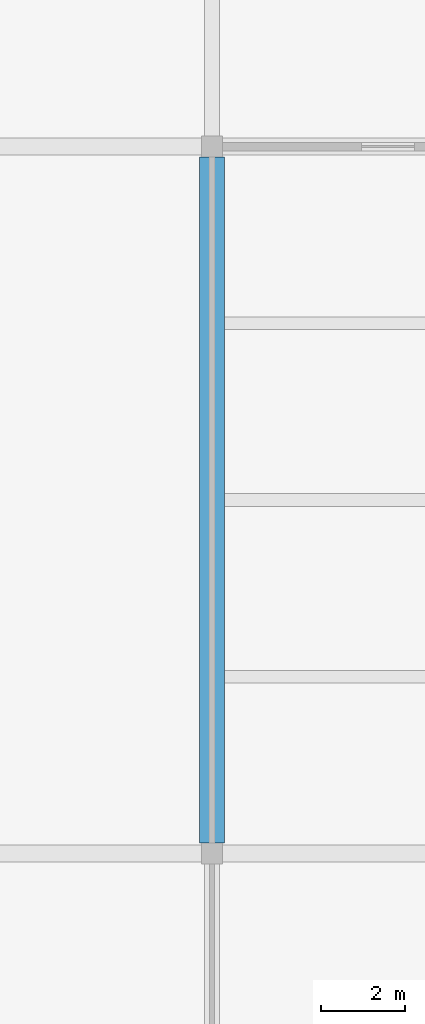
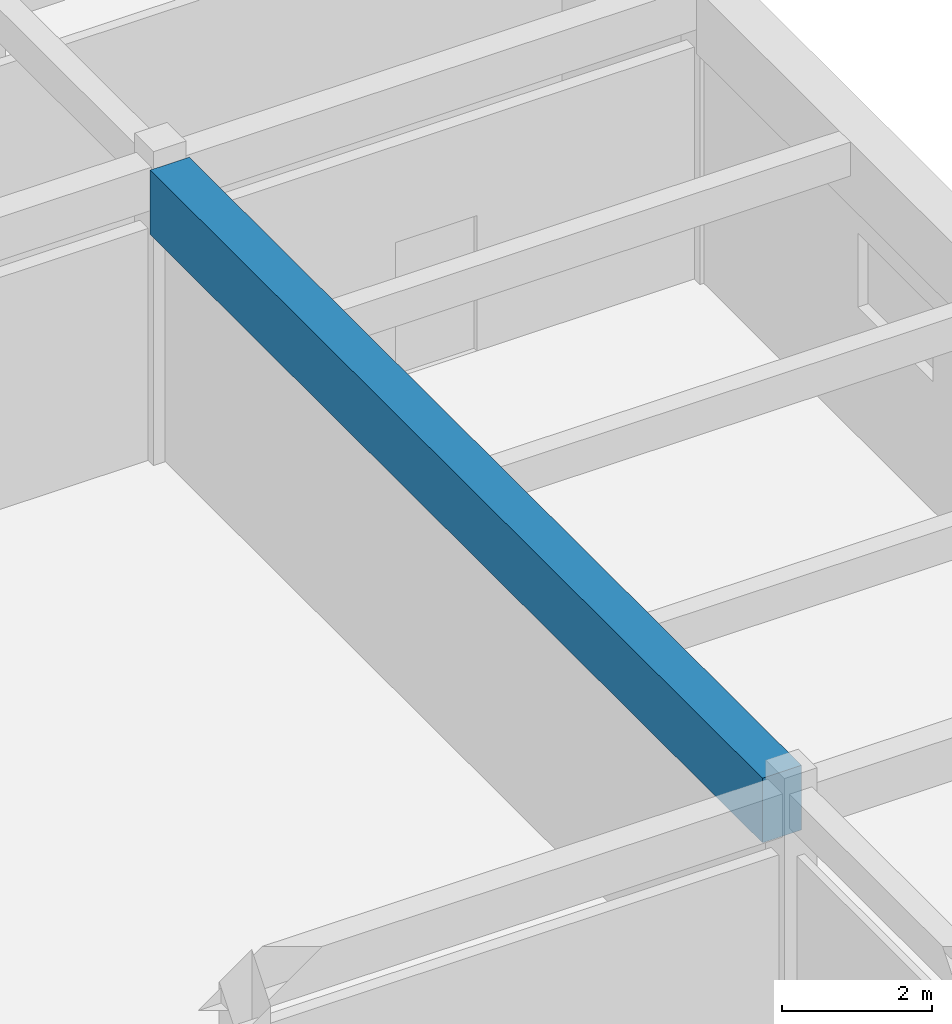
# One storey, part 45 of 93: 1 beam.
"""IFC4 building model written with IfcOpenShell, lengths in metres."""

from ifc_helpers import new_model, si_unit, direction, frame, origin, origin_2d, place, context, subcontext, project, spatial, rectangle, extrude, material, material_profile, profile_set, type_object, element, save


model = new_model("IFC4")

# Units and contexts
model_context = context("Model", 3, precision=1e-05, world=origin(), true_north=direction((0.0, 1.0)))
body_context = subcontext(model_context, "Body", "Model", "MODEL_VIEW")
ifc_project = project(units=[si_unit("LENGTHUNIT", "METRE"), si_unit("AREAUNIT", "SQUARE_METRE"), si_unit("VOLUMEUNIT", "CUBIC_METRE"), si_unit("PLANEANGLEUNIT", "RADIAN"), si_unit("MASSUNIT", "GRAM", prefix="KILO")], contexts=[model_context])

# Site, building, storey
site_placement = place(None, origin())
site = spatial("IfcSite", under=ifc_project, at=site_placement, CompositionType="ELEMENT")
building_placement = place(site_placement, origin())
building = spatial("IfcBuilding", under=site, at=building_placement, Name="Krzemoval Escarpment Law Courts", CompositionType="ELEMENT")
storey_placement = place(building_placement, frame((0.0, 0.0, 10.199951171875)))
storey = spatial("IfcBuildingStorey", under=building, at=storey_placement, Name="L02", CompositionType="ELEMENT", Elevation=10.199951171875)

# Beam
ifc_material = material(Name="Concrete C50/60", Category="concrete")
ifc_material_profile = material_profile(ifc_material, rectangle(XDim=0.60009765625, YDim=1.050048828125, at=origin_2d()), Name="PTG 600x1050")
ifc_profile_set = profile_set([ifc_material_profile], Name="Concrete C50/60")
beam_type = type_object("IfcBeamType", Name="BM-PTG-600x1050", PredefinedType="BEAM", material=ifc_profile_set)
beam_placement = place(storey_placement, frame((142.800048828125, 5.64990234375, 4.295166015625), z_axis=(0.0, 1.0, 0.0), x_axis=(-1.0, 0.0, 0.0)))
element("IfcBeam", 1, at=beam_placement, inside=storey, type_object=beam_type, Name="Beam FG-L02-1977", PredefinedType="BEAM", context=body_context, shape_type="SweptSolid", body=[
    extrude(rectangle(XDim=0.60009765625, YDim=1.050048828125, at=origin_2d()), origin(), (0.0, 0.0, 1.0), 16.300048828125),
])

save(model, "model.ifc")
